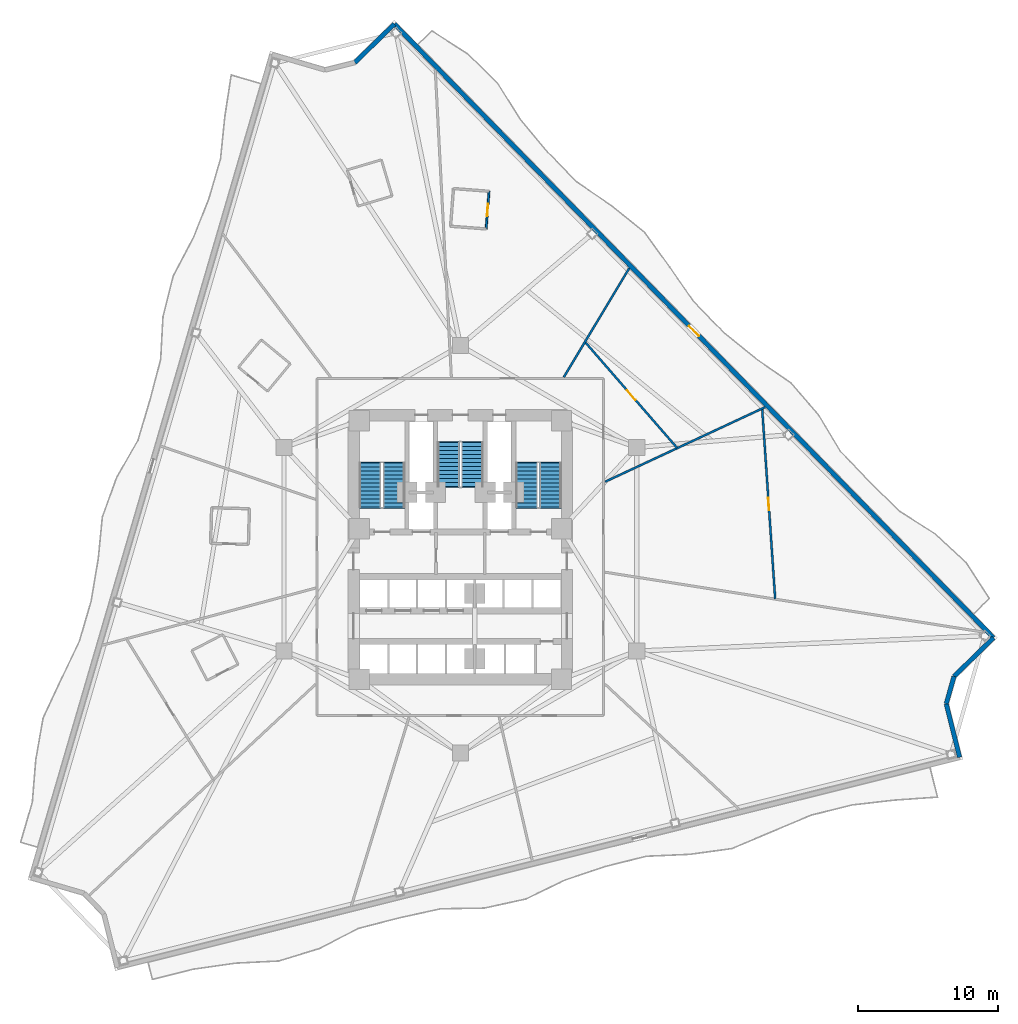
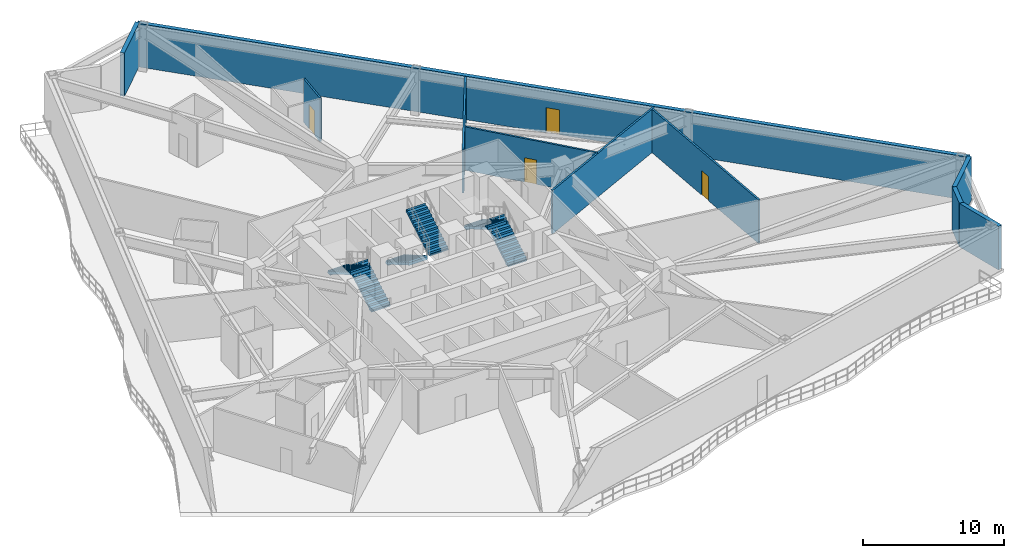
# One storey, part 6 of 10: 10 walls, 6 stair flights, 4 doors, 4 openings, 3 elements without a shape of their own.
"""IFC4 building model written with IfcOpenShell, lengths in metres."""

import ifcopenshell
import ifcopenshell.guid

model = None  # the IFC model being written
_history = None  # IfcOwnerHistory: only IFC2X3 demands one
_inside = {}  # id of a spatial element -> (the spatial element, [elements in it])
_under = {}  # id of a project, library or spatial element -> (it, [spatial elements below it])
_declared = {}  # id of a project -> (the project, [libraries it declares])
_typed = {}  # id of a type object -> (the type object, [elements of that type])
_made_of = {}  # id of a material, layer set ... -> (it, [elements and type objects made of it])


def new_model(schema):
    """Start an empty IFC model of exactly this schema.

    Asked for "IFC4X3", IfcOpenShell would pick the latest addendum, in which some entities
    have other attributes; the version numbers below select the first issue.
    IFC2X3 requires an IfcOwnerHistory on every rooted entity: one is made here for all.
    """
    global model, _history
    if schema == "IFC4X3":
        model = ifcopenshell.file(schema_version=(4, 3, 0, 0))
    else:
        model = ifcopenshell.file(schema=schema)
    _inside.clear()
    _under.clear()
    _declared.clear()
    _typed.clear()
    _made_of.clear()
    _history = None
    if model.schema == "IFC2X3":
        org = make("IfcOrganization", Name="unknown")
        user = make(
            "IfcPersonAndOrganization",
            ThePerson=make("IfcPerson", FamilyName="unknown"),
            TheOrganization=org,
        )
        app = make(
            "IfcApplication",
            ApplicationDeveloper=org,
            Version="unknown",
            ApplicationFullName="unknown",
            ApplicationIdentifier="unknown",
        )
        _history = make(
            "IfcOwnerHistory",
            OwningUser=user,
            OwningApplication=app,
            ChangeAction="ADDED",
            CreationDate=0,
        )
    return model


def make(cls, **values):
    """One entity of the class cls with the attributes given. An attribute that is None is left unset."""
    return model.create_entity(
        cls, **{name: value for name, value in values.items() if value is not None}
    )


def rooted(cls, **values):
    """An entity with a GlobalId (a new one), such as an element, a storey or a relation."""
    return make(cls, GlobalId=ifcopenshell.guid.new(), OwnerHistory=_history, **values)


def si_unit(unit_type, name, prefix=None):
    """IfcSIUnit, for example si_unit("LENGTHUNIT", "METRE", prefix="MILLI")."""
    return make("IfcSIUnit", UnitType=unit_type, Prefix=prefix, Name=name)


def assignment(units):
    """IfcUnitAssignment: the units of a project."""
    return None if units is None else make("IfcUnitAssignment", Units=units)


def point(xyz):
    """IfcCartesianPoint."""
    return None if xyz is None else make("IfcCartesianPoint", Coordinates=xyz)


def direction(xyz):
    """IfcDirection."""
    return None if xyz is None else make("IfcDirection", DirectionRatios=xyz)


def frame(location, z_axis=None, x_axis=None):
    """IfcAxis2Placement3D, a coordinate frame: its origin and axes. An axis left out is left unset."""
    return make(
        "IfcAxis2Placement3D",
        Location=point(location),
        Axis=direction(z_axis),
        RefDirection=direction(x_axis),
    )


def frame_2d(location, x_axis=None):
    """IfcAxis2Placement2D, a coordinate frame in the plane: its origin and x axis."""
    return make(
        "IfcAxis2Placement2D", Location=point(location), RefDirection=direction(x_axis)
    )


def origin():
    """The frame at (0, 0, 0) with its axes left unset."""
    return frame((0.0, 0.0, 0.0))


def place(relative_to, where):
    """IfcLocalPlacement: puts the frame where relative to a parent placement (None: the world)."""
    return make(
        "IfcLocalPlacement", PlacementRelTo=relative_to, RelativePlacement=where
    )


def context(
    kind, dimensions, precision=None, world=None, true_north=None, identifier=None
):
    """IfcGeometricRepresentationContext, for example the 3D "Model" context."""
    return make(
        "IfcGeometricRepresentationContext",
        ContextIdentifier=identifier,
        ContextType=kind,
        CoordinateSpaceDimension=dimensions,
        Precision=precision,
        WorldCoordinateSystem=world,
        TrueNorth=true_north,
    )


def subcontext(parent, identifier, kind, view, scale=None):
    """IfcGeometricRepresentationSubContext, for example "Body" below "Model"."""
    return make(
        "IfcGeometricRepresentationSubContext",
        ContextIdentifier=identifier,
        ContextType=kind,
        ParentContext=parent,
        TargetScale=scale,
        TargetView=view,
    )


def project(units=None, contexts=None):
    """IfcProject with its units and contexts."""
    return rooted(
        "IfcProject",
        Name="project",
        RepresentationContexts=contexts,
        UnitsInContext=assignment(units),
    )


def spatial(cls, under=None, at=None, **own):
    """A site, building, storey or space (cls), placed at a placement, below another one or the project."""
    s = rooted(cls, ObjectPlacement=at, **own)
    if under is not None:
        _under.setdefault(under.id(), (under, []))[1].append(s)
    return s


def polyline(points):
    """IfcPolyline through the points."""
    return make("IfcPolyline", Points=[point(p) for p in points])


def profile(cls, at=None, kind="AREA", **sizes):
    """A parametric profile (cls). Its sizes go by their IFC names, for example OverallWidth=200.0."""
    return make(cls, ProfileType=kind, Position=at, **sizes)


def rectangle(**sizes):
    """IfcRectangleProfileDef."""
    return profile("IfcRectangleProfileDef", **sizes)


def outline(outer, holes=None, kind="AREA"):
    """IfcArbitraryClosedProfileDef: a profile drawn as a closed curve; with holes, ...WithVoids."""
    if holes is None:
        return make("IfcArbitraryClosedProfileDef", ProfileType=kind, OuterCurve=outer)
    return make(
        "IfcArbitraryProfileDefWithVoids",
        ProfileType=kind,
        OuterCurve=outer,
        InnerCurves=holes,
    )


def extrude(swept, where, along, depth):
    """IfcExtrudedAreaSolid: the profile swept, set in the frame where, extruded along a direction by depth."""
    return make(
        "IfcExtrudedAreaSolid",
        SweptArea=swept,
        Position=where,
        ExtrudedDirection=direction(along),
        Depth=depth,
    )


def shape(context_of_items, identifier, shape_type, items):
    """IfcShapeRepresentation: the items that make up one representation, for example the "Body"."""
    return make(
        "IfcShapeRepresentation",
        ContextOfItems=context_of_items,
        RepresentationIdentifier=identifier,
        RepresentationType=shape_type,
        Items=items,
    )


def material(Name=None, Category=None):
    """IfcMaterial."""
    return make("IfcMaterial", Name=Name, Category=Category)


def layer(
    of_material, thickness, ventilated=None, Name=None, Category=None, Priority=None
):
    """IfcMaterialLayer: one layer of a wall or slab, of a material (None: an air gap)."""
    return make(
        "IfcMaterialLayer",
        Material=of_material,
        LayerThickness=thickness,
        IsVentilated=ventilated,
        Name=Name,
        Category=Category,
        Priority=Priority,
    )


def layer_set(layers, Name=None):
    """IfcMaterialLayerSet."""
    return make("IfcMaterialLayerSet", MaterialLayers=layers, LayerSetName=Name)


def made_of(thing, what):
    """Note that an element or type object is made of a material, layer set ...; save() writes the relation."""
    if what is not None:
        _made_of.setdefault(what.id(), (what, []))[1].append(thing)
    return thing


def type_object(cls, material=None, **own):
    """A type object (cls), such as IfcWallType, which elements share."""
    return made_of(rooted(cls, **own), material)


def element(
    cls,
    number,
    at=None,
    inside=None,
    cuts=None,
    type_object=None,
    material=None,
    context=None,
    identifier="Body",
    shape_type=None,
    held_by="IfcProductDefinitionShape",
    body=None,
    shapes=None,
    **own,
):
    """One element of the class cls, such as IfcWall. Its Tag is "e" and its number.

    at: its placement. inside: the storey or other place that contains it. cuts: it is an
    opening in that element (IfcRelVoidsElement). A single representation is given by context,
    identifier, shape_type and body (its items); several are given by shapes. held_by: the class
    of the entity that holds the representations. save() writes the other relations.
    """
    e = rooted(cls, Tag="e%d" % number, ObjectPlacement=at, **own)
    if body is not None:
        shapes = [shape(context, identifier, shape_type, body)]
    if shapes is not None:
        e.Representation = make(held_by, Representations=shapes)
    if inside is not None:
        _inside.setdefault(inside.id(), (inside, []))[1].append(e)
    if cuts is not None:
        rooted(
            "IfcRelVoidsElement", RelatingBuildingElement=cuts, RelatedOpeningElement=e
        )
    if type_object is not None:
        _typed.setdefault(type_object.id(), (type_object, []))[1].append(e)
    return made_of(e, material)


def fill(opening, filler):
    """IfcRelFillsElement: the door or window that sits in an opening."""
    return rooted(
        "IfcRelFillsElement",
        RelatingOpeningElement=opening,
        RelatedBuildingElement=filler,
    )


def aggregate(whole, parts):
    """IfcRelAggregates: a whole, such as a stair, and the parts it consists of."""
    return rooted("IfcRelAggregates", RelatingObject=whole, RelatedObjects=parts)


def save(model, path):
    """Write the relations noted so far, then the file.

    IfcRelAggregates (storeys below a building ...), IfcRelContainedInSpatialStructure (elements
    in a storey), IfcRelDefinesByType, IfcRelAssociatesMaterial and IfcRelDeclares: one each for
    every whole, place, type object, material and project.
    """
    for whole, parts in _under.values():
        aggregate(whole, parts)
    for where, things in _inside.values():
        rooted(
            "IfcRelContainedInSpatialStructure",
            RelatedElements=things,
            RelatingStructure=where,
        )
    for kind, things in _typed.values():
        rooted("IfcRelDefinesByType", RelatedObjects=things, RelatingType=kind)
    for what, things in _made_of.values():
        rooted("IfcRelAssociatesMaterial", RelatedObjects=things, RelatingMaterial=what)
    for by, libraries in _declared.values():
        rooted("IfcRelDeclares", RelatingContext=by, RelatedDefinitions=libraries)
    model.write(path)


model = new_model("IFC4")

# Units and contexts
model_context = context("Model", 3, precision=1e-05, world=origin(), true_north=direction((0.0, 1.0)))
body_context = subcontext(model_context, "Body", "Model", "MODEL_VIEW")
ifc_project = project(units=[si_unit("LENGTHUNIT", "METRE"), si_unit("AREAUNIT", "SQUARE_METRE"), si_unit("VOLUMEUNIT", "CUBIC_METRE"), si_unit("PLANEANGLEUNIT", "RADIAN"), si_unit("MASSUNIT", "GRAM", prefix="KILO")], contexts=[model_context])

# Site, building, storey
site_placement = place(None, origin())
site = spatial("IfcSite", under=ifc_project, at=site_placement, CompositionType="ELEMENT")
building_placement = place(site_placement, origin())
building = spatial("IfcBuilding", under=site, at=building_placement, Name="Apsidion Concourse Tower", CompositionType="ELEMENT")
storey_placement = place(building_placement, frame((0.0, 0.0, 115.0)))
storey = spatial("IfcBuildingStorey", under=building, at=storey_placement, Name="L26", CompositionType="ELEMENT", Elevation=115.0)

# Wall, opening, door
ifc_material_1 = material(Name="Precast concrete C40/50", Category="concrete")
ifc_layer_1 = layer(ifc_material_1, 0.320068359375)
ifc_layer_set_1 = layer_set([ifc_layer_1], Name="Precast concrete C40/50")
wall_type_1 = type_object("IfcWallType", Name="WL-EXT-320", PredefinedType="STANDARD", material=ifc_layer_set_1)
wall_1_placement = place(storey_placement, frame((-4.6982421875, 37.40185546875, 0.0), z_axis=(0.0, 0.0, 1.0), x_axis=(0.698490621109, -0.715619208954, 0.0)))
wall_1 = element("IfcWall", 1, at=wall_1_placement, inside=storey, type_object=wall_type_1, Name="L26 Precast Stone Facade Wall 01", PredefinedType="STANDARD", context=body_context, shape_type="SweptSolid", body=[
    extrude(rectangle(XDim=61.075927734375, YDim=0.320068359375, at=frame_2d((30.5380859375, 0.0))), origin(), (0.0, 0.0, 1.0), 3.75),
])
opening_1_placement = place(wall_1_placement, frame((30.037841796875, 0.0, 0.0)))
opening_1 = element("IfcOpeningElement", 2, at=opening_1_placement, cuts=wall_1, Name="Opening D-T1L", PredefinedType="OPENING", context=body_context, shape_type="SweptSolid", body=[
    extrude(rectangle(XDim=1.0, YDim=2.14990234375, at=frame_2d((0.5, 1.074951171875))), frame((0.0, 0.169921875, 0.0), z_axis=(0.0, -1.0, 0.0), x_axis=(1.0, 0.0, 0.0)), (0.0, 0.0, 1.0), 0.340087890625),
])
ifc_material_2 = material(Name="Anodised aluminium EN AW-6063 T6", Category="aluminium")
door_type_1 = type_object("IfcDoorType", Name="DR-TER-1022L", OperationType="SINGLE_SWING_LEFT", PredefinedType="DOOR", material=ifc_material_2)
door_1_placement = place(opening_1_placement, origin())
door_1 = element("IfcDoor", 3, at=door_1_placement, inside=storey, type_object=door_type_1, Name="L26 Balcony Access Door 3", OperationType="SINGLE_SWING_LEFT", OverallHeight=2.14990234375, OverallWidth=1.0, PredefinedType="DOOR", context=body_context, shape_type="SweptSolid", body=[
    extrude(rectangle(XDim=1.0, YDim=2.14990234375, at=frame_2d((0.5, 1.074951171875))), frame((0.0, 0.02490234375, 0.0), z_axis=(0.0, -1.0, 0.0), x_axis=(1.0, 0.0, 0.0)), (0.0, 0.0, 1.0), 0.050048828125),
])
fill(opening_1, door_1)

# Walls
wall_2_placement = place(storey_placement, frame((37.962646484375, -6.30517578125, 0.0), z_axis=(0.0, 0.0, 1.0), x_axis=(-0.71562223009, -0.698487525873, 0.0)))
element("IfcWall", 4, at=wall_2_placement, inside=storey, type_object=wall_type_1, Name="L26 Precast Stone Facade Wall 02", PredefinedType="STANDARD", context=body_context, shape_type="SweptSolid", body=[
    extrude(rectangle(XDim=3.9326171875, YDim=0.320068359375, at=frame_2d((1.96630859375, 0.0))), origin(), (0.0, 0.0, 1.0), 3.75),
])
wall_3_placement = place(storey_placement, frame((35.1484375, -9.052001953125, 0.0), z_axis=(0.0, 0.0, 1.0), x_axis=(-0.27306692697, -0.961995038134, 0.0)))
element("IfcWall", 5, at=wall_3_placement, inside=storey, type_object=wall_type_1, Name="L26 Precast Stone Facade Wall 03", PredefinedType="STANDARD", context=body_context, shape_type="SweptSolid", body=[
    extrude(rectangle(XDim=2.02783203125, YDim=0.320068359375, at=frame_2d((1.013916015625, 0.0))), origin(), (0.0, 0.0, 1.0), 3.75),
])
wall_4_placement = place(storey_placement, frame((34.5947265625, -11.002685546875, 0.0), z_axis=(0.0, 0.0, 1.0), x_axis=(0.241936662418, -0.970292044375, 0.0)))
element("IfcWall", 6, at=wall_4_placement, inside=storey, type_object=wall_type_1, Name="L26 Precast Stone Facade Wall 04", PredefinedType="STANDARD", context=body_context, shape_type="SweptSolid", body=[
    extrude(rectangle(XDim=3.9326171875, YDim=0.320068359375, at=frame_2d((1.96630859375, 0.0))), origin(), (0.0, 0.0, 1.0), 3.75),
])
wall_5_placement = place(storey_placement, frame((-7.51318359375, 34.654296875, 0.0), z_axis=(0.0, 0.0, 1.0), x_axis=(0.715620001602, 0.698489809022, 0.0)))
element("IfcWall", 7, at=wall_5_placement, inside=storey, type_object=wall_type_1, Name="L26 Precast Stone Facade Wall 12", PredefinedType="STANDARD", context=body_context, shape_type="SweptSolid", body=[
    extrude(rectangle(XDim=3.93359375, YDim=0.320068359375, at=frame_2d((1.966796875, 0.0))), origin(), (0.0, 0.0, 1.0), 3.75),
])

# Wall, opening, door
ifc_material_3 = material(Name="Gypsum plasterboard partition")
ifc_layer_2 = layer(ifc_material_3, 0.139892578125)
ifc_layer_set_2 = layer_set([ifc_layer_2], Name="Gypsum plasterboard partition")
wall_type_2 = type_object("IfcWallType", Name="WL-INT-PAR-140", PredefinedType="PARTITIONING", material=ifc_layer_set_2)
wall_6_placement = place(storey_placement, frame((1.834228515625, 22.806396484375, 0.0), z_axis=(0.0, 0.0, 1.0), x_axis=(0.076696498885, 0.997054485502, 0.0)))
wall_6 = element("IfcWall", 8, at=wall_6_placement, inside=storey, type_object=wall_type_2, Name="L26 Interior Partition WL-L26-POD-ENS07-S1", PredefinedType="PARTITIONING", context=body_context, shape_type="SweptSolid", body=[
    extrude(rectangle(XDim=2.689697265625, YDim=0.139892578125, at=frame_2d((1.3447265625, 0.0))), origin(), (0.0, 0.0, 1.0), 3.75),
])
opening_2_placement = place(wall_6_placement, frame((0.905029296875, 0.0, 0.0)))
opening_2 = element("IfcOpeningElement", 9, at=opening_2_placement, cuts=wall_6, Name="Opening D-03R", PredefinedType="OPENING", context=body_context, shape_type="SweptSolid", body=[
    extrude(rectangle(XDim=0.8798828125, YDim=2.10009765625, at=frame_2d((0.43994140625, 1.050048828125))), frame((0.0, 0.080078125, 0.0), z_axis=(0.0, -1.0, 0.0), x_axis=(1.0, 0.0, 0.0)), (0.0, 0.0, 1.0), 0.159912109375),
])
door_type_2 = type_object("IfcDoorType", Name="DR-INT-D03R", OperationType="SINGLE_SWING_RIGHT", PredefinedType="DOOR", material=ifc_material_2)
door_2_placement = place(opening_2_placement, origin())
door_2 = element("IfcDoor", 10, at=door_2_placement, inside=storey, type_object=door_type_2, Name="L26 Guest En-Suite Bathroom Door ENS07", OperationType="SINGLE_SWING_RIGHT", OverallHeight=2.10009765625, OverallWidth=0.8798828125, PredefinedType="DOOR", context=body_context, shape_type="SweptSolid", body=[
    extrude(rectangle(XDim=0.8798828125, YDim=2.10009765625, at=frame_2d((0.43994140625, 1.050048828125))), frame((0.0, 0.02490234375, 0.0), z_axis=(0.0, -1.0, 0.0), x_axis=(1.0, 0.0, 0.0)), (0.0, 0.0, 1.0), 0.050048828125),
])
fill(opening_2, door_2)

# Walls
ifc_layer_3 = layer(ifc_material_3, 0.14990234375)
ifc_layer_set_3 = layer_set([ifc_layer_3], Name="Gypsum plasterboard partition")
wall_type_3 = type_object("IfcWallType", Name="WL-INT-PAR-150", PredefinedType="PARTITIONING", material=ifc_layer_set_3)
wall_7_placement = place(storey_placement, frame((10.304931640625, 4.805419921875, 0.0), z_axis=(0.0, 0.0, 1.0), x_axis=(0.906312673918, 0.422607781631, 0.0)))
element("IfcWall", 11, at=wall_7_placement, inside=storey, type_object=wall_type_3, Name="L26 Interior Partition WL-L26-RAD-01-1", PredefinedType="PARTITIONING", context=body_context, shape_type="SweptSolid", body=[
    extrude(rectangle(XDim=12.563232421875, YDim=0.14990234375, at=frame_2d((6.28173828125, 0.0))), origin(), (0.0, 0.0, 1.0), 3.75),
])
wall_8_placement = place(storey_placement, frame((7.363525390625, 12.2548828125, 0.0), z_axis=(0.0, 0.0, 1.0), x_axis=(0.515030961147, 0.857171575042, 0.0)))
element("IfcWall", 12, at=wall_8_placement, inside=storey, type_object=wall_type_3, Name="L26 Interior Partition WL-L26-RAD-02-1", PredefinedType="PARTITIONING", context=body_context, shape_type="SweptSolid", body=[
    extrude(rectangle(XDim=9.054443359375, YDim=0.14990234375, at=frame_2d((4.52734375, 0.0))), origin(), (0.0, 0.0, 1.0), 3.75),
])

# Wall, opening, door
wall_9_placement = place(storey_placement, frame((22.41455078125, -3.52490234375, 0.0), z_axis=(0.0, 0.0, 1.0), x_axis=(-0.068270897284, 0.997666820429, 0.0)))
wall_9 = element("IfcWall", 13, at=wall_9_placement, inside=storey, type_object=wall_type_3, Name="L26 Interior Partition WL-L26-CHD-H8G05", PredefinedType="PARTITIONING", context=body_context, shape_type="SweptSolid", body=[
    extrude(rectangle(XDim=13.549560546875, YDim=0.14990234375, at=frame_2d((6.77490234375, 0.0))), origin(), (0.0, 0.0, 1.0), 3.75),
])
opening_3_placement = place(wall_9_placement, frame((6.32470703125, 0.0, 0.0)))
opening_3 = element("IfcOpeningElement", 14, at=opening_3_placement, cuts=wall_9, Name="Opening D-02R", PredefinedType="OPENING", context=body_context, shape_type="SweptSolid", body=[
    extrude(rectangle(XDim=0.89990234375, YDim=2.10009765625, at=frame_2d((0.449951171875, 1.050048828125))), frame((0.0, 0.0849609375, 0.0), z_axis=(0.0, -1.0, 0.0), x_axis=(1.0, 0.0, 0.0)), (0.0, 0.0, 1.0), 0.169921875),
])
door_type_3 = type_object("IfcDoorType", Name="DR-INT-D02R", OperationType="SINGLE_SWING_RIGHT", PredefinedType="DOOR", material=ifc_material_2)
door_3_placement = place(opening_3_placement, origin())
door_3 = element("IfcDoor", 15, at=door_3_placement, inside=storey, type_object=door_type_3, Name="L26 Suite Connecting Door H8G05", OperationType="SINGLE_SWING_RIGHT", OverallHeight=2.10009765625, OverallWidth=0.89990234375, PredefinedType="DOOR", context=body_context, shape_type="SweptSolid", body=[
    extrude(rectangle(XDim=0.89990234375, YDim=2.10009765625, at=frame_2d((0.449951171875, 1.050048828125))), frame((0.0, 0.02490234375, 0.0), z_axis=(0.0, -1.0, 0.0), x_axis=(1.0, 0.0, 0.0)), (0.0, 0.0, 1.0), 0.050048828125),
])
fill(opening_3, door_3)

wall_10_placement = place(storey_placement, frame((15.427734375, 7.2216796875, 0.0), z_axis=(0.0, 0.0, 1.0), x_axis=(-0.656028314667, 0.75473627868, 0.0)))
wall_10 = element("IfcWall", 16, at=wall_10_placement, inside=storey, type_object=wall_type_3, Name="L26 Interior Partition WL-L26-CHD-H8G06", PredefinedType="PARTITIONING", context=body_context, shape_type="SweptSolid", body=[
    extrude(rectangle(XDim=9.9677734375, YDim=0.14990234375, at=frame_2d((4.98388671875, 0.0))), origin(), (0.0, 0.0, 1.0), 3.75),
])
opening_4_placement = place(wall_10_placement, frame((4.533935546875, 0.0, 0.0)))
opening_4 = element("IfcOpeningElement", 17, at=opening_4_placement, cuts=wall_10, Name="Opening D-02L", PredefinedType="OPENING", context=body_context, shape_type="SweptSolid", body=[
    extrude(rectangle(XDim=0.89990234375, YDim=2.10009765625, at=frame_2d((0.449951171875, 1.050048828125))), frame((0.0, 0.0849609375, 0.0), z_axis=(0.0, -1.0, 0.0), x_axis=(1.0, 0.0, 0.0)), (0.0, 0.0, 1.0), 0.169921875),
])
door_type_4 = type_object("IfcDoorType", Name="DR-INT-D02L", OperationType="SINGLE_SWING_LEFT", PredefinedType="DOOR", material=ifc_material_2)
door_4_placement = place(opening_4_placement, origin())
door_4 = element("IfcDoor", 18, at=door_4_placement, inside=storey, type_object=door_type_4, Name="L26 Suite Connecting Door H8G06", OperationType="SINGLE_SWING_LEFT", OverallHeight=2.10009765625, OverallWidth=0.89990234375, PredefinedType="DOOR", context=body_context, shape_type="SweptSolid", body=[
    extrude(rectangle(XDim=0.89990234375, YDim=2.10009765625, at=frame_2d((0.449951171875, 1.050048828125))), frame((0.0, 0.02490234375, 0.0), z_axis=(0.0, -1.0, 0.0), x_axis=(1.0, 0.0, 0.0)), (0.0, 0.0, 1.0), 0.050048828125),
])
fill(opening_4, door_4)

# Stair, stair flights
stair_type = type_object("IfcStairType", Name="ST-DL-1550", PredefinedType="HALF_TURN_STAIR", material=ifc_material_1)
stair_1_placement = place(storey_placement, origin())
stair_1 = element("IfcStair", 19, at=stair_1_placement, inside=storey, type_object=stair_type, Name="L26 Protected Core Exit Stair ST1", PredefinedType="HALF_TURN_STAIR")
stair_flight_type = type_object("IfcStairFlightType", Name="SFL-RC-1550", PredefinedType="STRAIGHT", material=ifc_material_1)
stair_flight_1_placement = place(storey_placement, frame((-4.72509765625, 3.0, 0.0), z_axis=(0.0, 0.0, 1.0), x_axis=(0.0, 1.0, 0.0)))
stair_flight_1 = element("IfcStairFlight", 20, at=stair_flight_1_placement, type_object=stair_flight_type, Name="ST1 flight 1", NumberOfRisers=12, NumberOfTreads=11, PredefinedType="STRAIGHT", RiserHeight=0.166666667, TreadLength=0.285, context=body_context, shape_type="SweptSolid", body=[
    extrude(outline(polyline([(-0.080078125, -0.1123046875), (-0.080078125, 0.0), (0.0, 0.0), (0.0, 0.166748046875), (0.284912109375, 0.166748046875), (0.284912109375, 0.333251953125), (0.570068359375, 0.333251953125), (0.570068359375, 0.5), (0.85498046875, 0.5), (0.85498046875, 0.666748046875), (1.139892578125, 0.666748046875), (1.139892578125, 0.833251953125), (1.425048828125, 0.833251953125), (1.425048828125, 1.0), (1.7099609375, 1.0), (1.7099609375, 1.166748046875), (1.9951171875, 1.166748046875), (1.9951171875, 1.333251953125), (2.280029296875, 1.333251953125), (2.280029296875, 1.5), (2.56494140625, 1.5), (2.56494140625, 1.666748046875), (2.85009765625, 1.666748046875), (2.85009765625, 1.833251953125), (3.135009765625, 1.833251953125), (3.135009765625, 2.0), (3.215087890625, 1.916748046875), (3.215087890625, 1.65966796875), (3.135009765625, 1.65966796875), (0.296875, 0.0), (0.296875, -0.1123046875), (-0.080078125, -0.1123046875)])), frame((0.0, 0.77490234375, 0.0), z_axis=(0.0, -1.0, 0.0), x_axis=(1.0, 0.0, 0.0)), (0.0, 0.0, 1.0), 1.550048828125),
])
stair_flight_2_placement = place(storey_placement, frame((-6.425048828125, 6.135009765625, 2.0), z_axis=(0.0, 0.0, 1.0), x_axis=(0.0, -1.0, 0.0)))
stair_flight_2 = element("IfcStairFlight", 21, at=stair_flight_2_placement, type_object=stair_flight_type, Name="ST1 flight 2", NumberOfRisers=12, NumberOfTreads=11, PredefinedType="STRAIGHT", RiserHeight=0.166666667, TreadLength=0.285, context=body_context, shape_type="SweptSolid", body=[
    extrude(outline(polyline([(-0.080078125, -0.1123046875), (-0.080078125, 0.0), (0.0, 0.0), (0.0, 0.166748046875), (0.284912109375, 0.166748046875), (0.284912109375, 0.333251953125), (0.570068359375, 0.333251953125), (0.570068359375, 0.5), (0.85498046875, 0.5), (0.85498046875, 0.666748046875), (1.139892578125, 0.666748046875), (1.139892578125, 0.833251953125), (1.425048828125, 0.833251953125), (1.425048828125, 1.0), (1.7099609375, 1.0), (1.7099609375, 1.166748046875), (1.9951171875, 1.166748046875), (1.9951171875, 1.333251953125), (2.280029296875, 1.333251953125), (2.280029296875, 1.5), (2.56494140625, 1.5), (2.56494140625, 1.666748046875), (2.85009765625, 1.666748046875), (2.85009765625, 1.833251953125), (3.135009765625, 1.833251953125), (3.135009765625, 2.0), (3.215087890625, 1.916748046875), (3.215087890625, 1.65966796875), (3.135009765625, 1.65966796875), (0.296875, 0.0), (0.296875, -0.1123046875), (-0.080078125, -0.1123046875)])), frame((0.0, 0.77490234375, 0.0), z_axis=(0.0, -1.0, 0.0), x_axis=(1.0, 0.0, 0.0)), (0.0, 0.0, 1.0), 1.550048828125),
])
aggregate(stair_1, [stair_flight_1, stair_flight_2])

stair_2_placement = place(storey_placement, origin())
stair_2 = element("IfcStair", 22, at=stair_2_placement, inside=storey, type_object=stair_type, Name="L26 Protected Core Exit Stair ST2", PredefinedType="HALF_TURN_STAIR")
stair_flight_3_placement = place(storey_placement, frame((6.425048828125, 3.0, 0.0), z_axis=(0.0, 0.0, 1.0), x_axis=(0.0, 1.0, 0.0)))
stair_flight_3 = element("IfcStairFlight", 23, at=stair_flight_3_placement, type_object=stair_flight_type, Name="ST2 flight 1", NumberOfRisers=12, NumberOfTreads=11, PredefinedType="STRAIGHT", RiserHeight=0.166666667, TreadLength=0.285, context=body_context, shape_type="SweptSolid", body=[
    extrude(outline(polyline([(-0.080078125, -0.1123046875), (-0.080078125, 0.0), (0.0, 0.0), (0.0, 0.166748046875), (0.284912109375, 0.166748046875), (0.284912109375, 0.333251953125), (0.570068359375, 0.333251953125), (0.570068359375, 0.5), (0.85498046875, 0.5), (0.85498046875, 0.666748046875), (1.139892578125, 0.666748046875), (1.139892578125, 0.833251953125), (1.425048828125, 0.833251953125), (1.425048828125, 1.0), (1.7099609375, 1.0), (1.7099609375, 1.166748046875), (1.9951171875, 1.166748046875), (1.9951171875, 1.333251953125), (2.280029296875, 1.333251953125), (2.280029296875, 1.5), (2.56494140625, 1.5), (2.56494140625, 1.666748046875), (2.85009765625, 1.666748046875), (2.85009765625, 1.833251953125), (3.135009765625, 1.833251953125), (3.135009765625, 2.0), (3.215087890625, 1.916748046875), (3.215087890625, 1.65966796875), (3.135009765625, 1.65966796875), (0.296875, 0.0), (0.296875, -0.1123046875), (-0.080078125, -0.1123046875)])), frame((0.0, 0.77490234375, 0.0), z_axis=(0.0, -1.0, 0.0), x_axis=(1.0, 0.0, 0.0)), (0.0, 0.0, 1.0), 1.550048828125),
])
stair_flight_4_placement = place(storey_placement, frame((4.72509765625, 6.135009765625, 2.0), z_axis=(0.0, 0.0, 1.0), x_axis=(0.0, -1.0, 0.0)))
stair_flight_4 = element("IfcStairFlight", 24, at=stair_flight_4_placement, type_object=stair_flight_type, Name="ST2 flight 2", NumberOfRisers=12, NumberOfTreads=11, PredefinedType="STRAIGHT", RiserHeight=0.166666667, TreadLength=0.285, context=body_context, shape_type="SweptSolid", body=[
    extrude(outline(polyline([(-0.080078125, -0.1123046875), (-0.080078125, 0.0), (0.0, 0.0), (0.0, 0.166748046875), (0.284912109375, 0.166748046875), (0.284912109375, 0.333251953125), (0.570068359375, 0.333251953125), (0.570068359375, 0.5), (0.85498046875, 0.5), (0.85498046875, 0.666748046875), (1.139892578125, 0.666748046875), (1.139892578125, 0.833251953125), (1.425048828125, 0.833251953125), (1.425048828125, 1.0), (1.7099609375, 1.0), (1.7099609375, 1.166748046875), (1.9951171875, 1.166748046875), (1.9951171875, 1.333251953125), (2.280029296875, 1.333251953125), (2.280029296875, 1.5), (2.56494140625, 1.5), (2.56494140625, 1.666748046875), (2.85009765625, 1.666748046875), (2.85009765625, 1.833251953125), (3.135009765625, 1.833251953125), (3.135009765625, 2.0), (3.215087890625, 1.916748046875), (3.215087890625, 1.65966796875), (3.135009765625, 1.65966796875), (0.296875, 0.0), (0.296875, -0.1123046875), (-0.080078125, -0.1123046875)])), frame((0.0, 0.77490234375, 0.0), z_axis=(0.0, -1.0, 0.0), x_axis=(1.0, 0.0, 0.0)), (0.0, 0.0, 1.0), 1.550048828125),
])
aggregate(stair_2, [stair_flight_3, stair_flight_4])

stair_3_placement = place(storey_placement, origin())
stair_3 = element("IfcStair", 25, at=stair_3_placement, inside=storey, type_object=stair_type, Name="L26 Protected Core Exit Stair ST3", PredefinedType="HALF_TURN_STAIR")
stair_flight_5_placement = place(storey_placement, frame((-0.85009765625, 7.60009765625, 0.0), z_axis=(0.0, 0.0, 1.0), x_axis=(0.0, -1.0, 0.0)))
stair_flight_5 = element("IfcStairFlight", 26, at=stair_flight_5_placement, type_object=stair_flight_type, Name="ST3 flight 1", NumberOfRisers=12, NumberOfTreads=11, PredefinedType="STRAIGHT", RiserHeight=0.166666667, TreadLength=0.285, context=body_context, shape_type="SweptSolid", body=[
    extrude(outline(polyline([(-0.080078125, -0.1123046875), (-0.080078125, 0.0), (0.0, 0.0), (0.0, 0.166748046875), (0.284912109375, 0.166748046875), (0.284912109375, 0.333251953125), (0.570068359375, 0.333251953125), (0.570068359375, 0.5), (0.85498046875, 0.5), (0.85498046875, 0.666748046875), (1.139892578125, 0.666748046875), (1.139892578125, 0.833251953125), (1.425048828125, 0.833251953125), (1.425048828125, 1.0), (1.7099609375, 1.0), (1.7099609375, 1.166748046875), (1.9951171875, 1.166748046875), (1.9951171875, 1.333251953125), (2.280029296875, 1.333251953125), (2.280029296875, 1.5), (2.56494140625, 1.5), (2.56494140625, 1.666748046875), (2.85009765625, 1.666748046875), (2.85009765625, 1.833251953125), (3.135009765625, 1.833251953125), (3.135009765625, 2.0), (3.215087890625, 1.916748046875), (3.215087890625, 1.65966796875), (3.135009765625, 1.65966796875), (0.296875, 0.0), (0.296875, -0.1123046875), (-0.080078125, -0.1123046875)])), frame((0.0, 0.77490234375, 0.0), z_axis=(0.0, -1.0, 0.0), x_axis=(1.0, 0.0, 0.0)), (0.0, 0.0, 1.0), 1.550048828125),
])
stair_flight_6_placement = place(storey_placement, frame((0.85009765625, 4.465087890625, 2.0), z_axis=(0.0, 0.0, 1.0), x_axis=(0.0, 1.0, 0.0)))
stair_flight_6 = element("IfcStairFlight", 27, at=stair_flight_6_placement, type_object=stair_flight_type, Name="ST3 flight 2", NumberOfRisers=12, NumberOfTreads=11, PredefinedType="STRAIGHT", RiserHeight=0.166666667, TreadLength=0.285, context=body_context, shape_type="SweptSolid", body=[
    extrude(outline(polyline([(-0.080078125, -0.1123046875), (-0.080078125, 0.0), (0.0, 0.0), (0.0, 0.166748046875), (0.284912109375, 0.166748046875), (0.284912109375, 0.333251953125), (0.570068359375, 0.333251953125), (0.570068359375, 0.5), (0.85498046875, 0.5), (0.85498046875, 0.666748046875), (1.139892578125, 0.666748046875), (1.139892578125, 0.833251953125), (1.425048828125, 0.833251953125), (1.425048828125, 1.0), (1.7099609375, 1.0), (1.7099609375, 1.166748046875), (1.9951171875, 1.166748046875), (1.9951171875, 1.333251953125), (2.280029296875, 1.333251953125), (2.280029296875, 1.5), (2.56494140625, 1.5), (2.56494140625, 1.666748046875), (2.85009765625, 1.666748046875), (2.85009765625, 1.833251953125), (3.135009765625, 1.833251953125), (3.135009765625, 2.0), (3.215087890625, 1.916748046875), (3.215087890625, 1.65966796875), (3.135009765625, 1.65966796875), (0.296875, 0.0), (0.296875, -0.1123046875), (-0.080078125, -0.1123046875)])), frame((0.0, 0.77490234375, 0.0), z_axis=(0.0, -1.0, 0.0), x_axis=(1.0, 0.0, 0.0)), (0.0, 0.0, 1.0), 1.550048828125),
])
aggregate(stair_3, [stair_flight_5, stair_flight_6])

save(model, "model.ifc")
